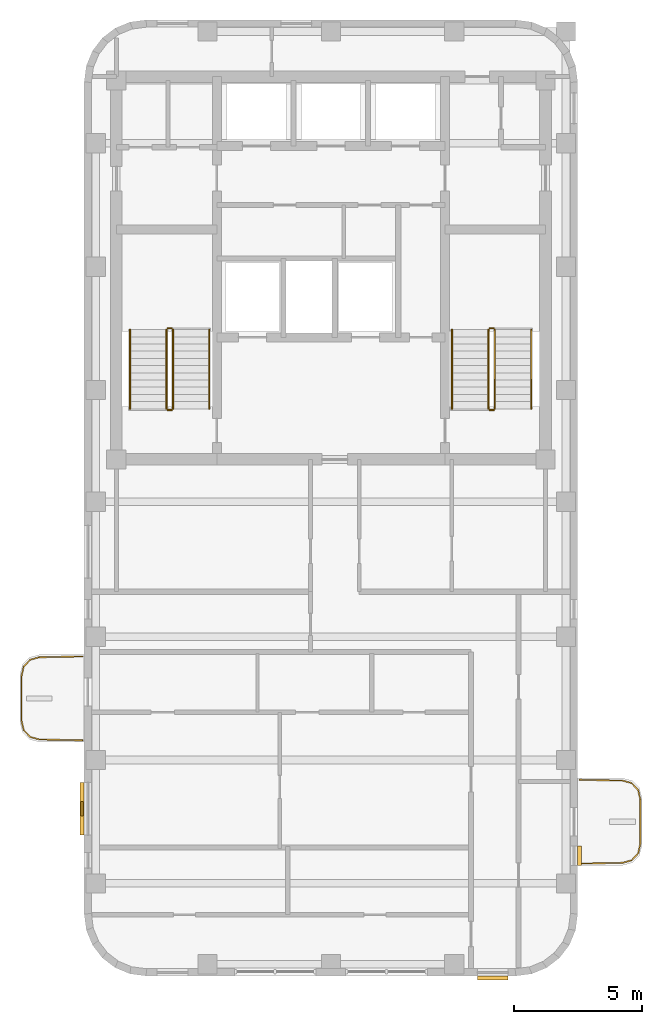
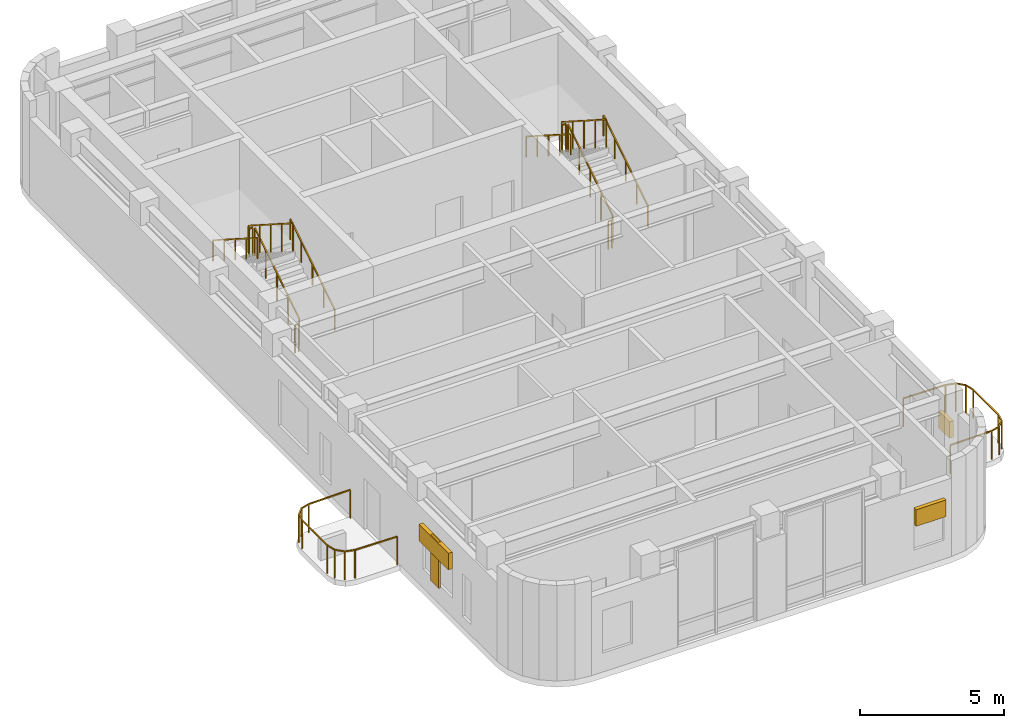
# One storey, part 6 of 6: 14 railings, 4 shading devices.
"""IFC4 building model written with IfcOpenShell, lengths in metres."""

from ifc_helpers import new_model, si_unit, direction, frame, origin, origin_2d, place, context, subcontext, project, spatial, rectangle, extrude, material, type_object, element, save


model = new_model("IFC4")

# Units and contexts
model_context = context("Model", 3, precision=1e-05, world=origin(), true_north=direction((0.0, 1.0)))
body_context = subcontext(model_context, "Body", "Model", "MODEL_VIEW")
ifc_project = project(units=[si_unit("LENGTHUNIT", "METRE"), si_unit("AREAUNIT", "SQUARE_METRE"), si_unit("VOLUMEUNIT", "CUBIC_METRE"), si_unit("PLANEANGLEUNIT", "RADIAN"), si_unit("MASSUNIT", "GRAM", prefix="KILO")], contexts=[model_context])

# Site, building, storey
site_placement = place(None, origin())
site = spatial("IfcSite", under=ifc_project, at=site_placement, CompositionType="ELEMENT")
building_placement = place(site_placement, origin())
building = spatial("IfcBuilding", under=site, at=building_placement, Name="Orvandelia Arch Residences", CompositionType="ELEMENT")
storey_placement = place(building_placement, frame((0.0, 0.0, 278.5)))
storey = spatial("IfcBuildingStorey", under=building, at=storey_placement, Name="L72", CompositionType="ELEMENT", Elevation=278.5)

# Railings
ifc_material_1 = material(Name="Marine-Grade Stainless Steel 316", Category="steel")
railing_type_1 = type_object("IfcRailingType", Name="GRD-BAL-1200", PredefinedType="BALUSTRADE", material=ifc_material_1)
railing_1_placement = place(storey_placement, frame((4.728271484375, 23.23046875, 0.0)))
element("IfcRailing", 1, at=railing_1_placement, inside=storey, type_object=railing_type_1, Name="Safety Balustrade Guard GRD-L72-BAL-L72-W1-1", PredefinedType="BALUSTRADE", context=body_context, shape_type="SweptSolid", body=[
    extrude(rectangle(XDim=0.048095703125, YDim=0.048095703125, at=origin_2d()), frame((0.0, 0.0, 1.19580078125), z_axis=(-0.999834751713, -0.018178813668, 0.0), x_axis=(0.018178813668, -0.999834751713, 0.0)), (0.0, 0.0, 1.0), 1.6787109375),
    extrude(rectangle(XDim=0.048095703125, YDim=0.048095703125, at=origin_2d()), frame((-1.678466796875, -0.030517578125, 1.19580078125), z_axis=(-0.96348920644, -0.267747173792, 0.0), x_axis=(0.267747173792, -0.96348920644, 0.0)), (0.0, 0.0, 1.0), 0.36572265625),
    extrude(rectangle(XDim=0.048095703125, YDim=0.048095703125, at=origin_2d()), frame((-2.03076171875, -0.12841796875, 1.19580078125), z_axis=(-0.688627404251, -0.725115368831, 0.0), x_axis=(0.725115368831, -0.688627404251, 0.0)), (0.0, 0.0, 1.0), 0.367919921875),
    extrude(rectangle(XDim=0.048095703125, YDim=0.048095703125, at=origin_2d()), frame((-2.2841796875, -0.395263671875, 1.19580078125), z_axis=(-0.220461657419, -0.975395641577, 0.0), x_axis=(0.975395641577, -0.220461657419, 0.0)), (0.0, 0.0, 1.0), 0.373291015625),
    extrude(rectangle(XDim=0.048095703125, YDim=0.048095703125, at=origin_2d()), frame((-2.366455078125, -0.75927734375, 1.19580078125), z_axis=(0.0, -1.0, 0.0), x_axis=(1.0, 0.0, 0.0)), (0.0, 0.0, 1.0), 1.742431640625),
    extrude(rectangle(XDim=0.048095703125, YDim=0.048095703125, at=origin_2d()), frame((-2.366455078125, -2.501708984375, 1.19580078125), z_axis=(0.220602419982, -0.975363815352, 0.0), x_axis=(0.975363815352, 0.220602419982, 0.0)), (0.0, 0.0, 1.0), 0.373046875),
    extrude(rectangle(XDim=0.048095703125, YDim=0.048095703125, at=origin_2d()), frame((-2.2841796875, -2.865478515625, 1.19580078125), z_axis=(0.688296224633, -0.725429739642, 0.0), x_axis=(0.725429739642, 0.688296224633, 0.0)), (0.0, 0.0, 1.0), 0.3681640625),
    extrude(rectangle(XDim=0.048095703125, YDim=0.048095703125, at=origin_2d()), frame((-2.03076171875, -3.132568359375, 1.19580078125), z_axis=(0.96348920644, -0.267747173792, 0.0), x_axis=(0.267747173792, 0.96348920644, 0.0)), (0.0, 0.0, 1.0), 0.36572265625),
    extrude(rectangle(XDim=0.048095703125, YDim=0.048095703125, at=origin_2d()), frame((-1.678466796875, -3.23046875, 1.19580078125), z_axis=(0.999834751713, -0.018178813668, 0.0), x_axis=(0.018178813668, 0.999834751713, 0.0)), (0.0, 0.0, 1.0), 1.6787109375),
    extrude(rectangle(XDim=0.0419921875, YDim=0.0419921875, at=origin_2d()), origin(), (0.0, 0.0, 1.0), 1.171875),
    extrude(rectangle(XDim=0.0419921875, YDim=0.0419921875, at=origin_2d()), frame((-1.678466796875, -0.030517578125, 0.0)), (0.0, 0.0, 1.0), 1.171875),
    extrude(rectangle(XDim=0.0419921875, YDim=0.0419921875, at=origin_2d()), frame((-2.03076171875, -0.12841796875, 0.0)), (0.0, 0.0, 1.0), 1.171875),
    extrude(rectangle(XDim=0.0419921875, YDim=0.0419921875, at=origin_2d()), frame((-2.2841796875, -0.395263671875, 0.0)), (0.0, 0.0, 1.0), 1.171875),
    extrude(rectangle(XDim=0.0419921875, YDim=0.0419921875, at=origin_2d()), frame((-2.366455078125, -0.75927734375, 0.0)), (0.0, 0.0, 1.0), 1.171875),
    extrude(rectangle(XDim=0.0419921875, YDim=0.0419921875, at=origin_2d()), frame((-2.366455078125, -2.501708984375, 0.0)), (0.0, 0.0, 1.0), 1.171875),
    extrude(rectangle(XDim=0.0419921875, YDim=0.0419921875, at=origin_2d()), frame((-2.2841796875, -2.865478515625, 0.0)), (0.0, 0.0, 1.0), 1.171875),
    extrude(rectangle(XDim=0.0419921875, YDim=0.0419921875, at=origin_2d()), frame((-2.03076171875, -3.132568359375, 0.0)), (0.0, 0.0, 1.0), 1.171875),
    extrude(rectangle(XDim=0.0419921875, YDim=0.0419921875, at=origin_2d()), frame((-1.678466796875, -3.23046875, 0.0)), (0.0, 0.0, 1.0), 1.171875),
    extrude(rectangle(XDim=0.0419921875, YDim=0.0419921875, at=origin_2d()), frame((0.0, -3.260986328125, 0.0)), (0.0, 0.0, 1.0), 1.171875),
])
railing_2_placement = place(storey_placement, frame((24.07177734375, 15.169677734375, 0.0)))
element("IfcRailing", 2, at=railing_2_placement, inside=storey, type_object=railing_type_1, Name="Safety Balustrade Guard GRD-L72-BAL-L72-W2-1", PredefinedType="BALUSTRADE", context=body_context, shape_type="SweptSolid", body=[
    extrude(rectangle(XDim=0.048095703125, YDim=0.048095703125, at=origin_2d()), frame((0.0, 0.0, 1.19580078125), z_axis=(0.999837384468, 0.018033430643, 0.0), x_axis=(-0.018033430643, 0.999837384468, 0.0)), (0.0, 0.0, 1.0), 1.6787109375),
    extrude(rectangle(XDim=0.048095703125, YDim=0.048095703125, at=origin_2d()), frame((1.678466796875, 0.0302734375, 1.19580078125), z_axis=(0.96348920644, 0.267747173792, 0.0), x_axis=(-0.267747173792, 0.96348920644, 0.0)), (0.0, 0.0, 1.0), 0.36572265625),
    extrude(rectangle(XDim=0.048095703125, YDim=0.048095703125, at=origin_2d()), frame((2.03076171875, 0.128173828125, 1.19580078125), z_axis=(0.687947031175, 0.725760898848, 0.0), x_axis=(-0.725760898848, 0.687947031175, 0.0)), (0.0, 0.0, 1.0), 0.367919921875),
    extrude(rectangle(XDim=0.048095703125, YDim=0.048095703125, at=origin_2d()), frame((2.283935546875, 0.395263671875, 1.19580078125), z_axis=(0.221225034864, 0.975222786828, 0.0), x_axis=(-0.975222786828, 0.221225034864, 0.0)), (0.0, 0.0, 1.0), 0.373046875),
    extrude(rectangle(XDim=0.048095703125, YDim=0.048095703125, at=origin_2d()), frame((2.366455078125, 0.759033203125, 1.19580078125), z_axis=(0.0, 1.0, 0.0), x_axis=(-1.0, 0.0, 0.0)), (0.0, 0.0, 1.0), 1.74267578125),
    extrude(rectangle(XDim=0.048095703125, YDim=0.048095703125, at=origin_2d()), frame((2.366455078125, 2.501708984375, 1.19580078125), z_axis=(-0.221225034864, 0.975222786828, 0.0), x_axis=(-0.975222786828, -0.221225034864, 0.0)), (0.0, 0.0, 1.0), 0.373046875),
    extrude(rectangle(XDim=0.048095703125, YDim=0.048095703125, at=origin_2d()), frame((2.283935546875, 2.865478515625, 1.19580078125), z_axis=(-0.688278345278, 0.725446703364, 0.0), x_axis=(-0.725446703364, -0.688278345278, 0.0)), (0.0, 0.0, 1.0), 0.367919921875),
    extrude(rectangle(XDim=0.048095703125, YDim=0.048095703125, at=origin_2d()), frame((2.03076171875, 3.13232421875, 1.19580078125), z_axis=(-0.96348920644, 0.267747173792, 0.0), x_axis=(-0.267747173792, -0.96348920644, 0.0)), (0.0, 0.0, 1.0), 0.36572265625),
    extrude(rectangle(XDim=0.048095703125, YDim=0.048095703125, at=origin_2d()), frame((1.678466796875, 3.230224609375, 1.19580078125), z_axis=(-0.999834751713, 0.018178813668, 0.0), x_axis=(-0.018178813668, -0.999834751713, 0.0)), (0.0, 0.0, 1.0), 1.6787109375),
    extrude(rectangle(XDim=0.0419921875, YDim=0.0419921875, at=origin_2d()), origin(), (0.0, 0.0, 1.0), 1.171875),
    extrude(rectangle(XDim=0.0419921875, YDim=0.0419921875, at=origin_2d()), frame((1.678466796875, 0.0302734375, 0.0)), (0.0, 0.0, 1.0), 1.171875),
    extrude(rectangle(XDim=0.0419921875, YDim=0.0419921875, at=origin_2d()), frame((2.03076171875, 0.128173828125, 0.0)), (0.0, 0.0, 1.0), 1.171875),
    extrude(rectangle(XDim=0.0419921875, YDim=0.0419921875, at=origin_2d()), frame((2.283935546875, 0.395263671875, 0.0)), (0.0, 0.0, 1.0), 1.171875),
    extrude(rectangle(XDim=0.0419921875, YDim=0.0419921875, at=origin_2d()), frame((2.366455078125, 0.759033203125, 0.0)), (0.0, 0.0, 1.0), 1.171875),
    extrude(rectangle(XDim=0.0419921875, YDim=0.0419921875, at=origin_2d()), frame((2.366455078125, 2.501708984375, 0.0)), (0.0, 0.0, 1.0), 1.171875),
    extrude(rectangle(XDim=0.0419921875, YDim=0.0419921875, at=origin_2d()), frame((2.283935546875, 2.865478515625, 0.0)), (0.0, 0.0, 1.0), 1.171875),
    extrude(rectangle(XDim=0.0419921875, YDim=0.0419921875, at=origin_2d()), frame((2.03076171875, 3.13232421875, 0.0)), (0.0, 0.0, 1.0), 1.171875),
    extrude(rectangle(XDim=0.0419921875, YDim=0.0419921875, at=origin_2d()), frame((1.678466796875, 3.230224609375, 0.0)), (0.0, 0.0, 1.0), 1.171875),
    extrude(rectangle(XDim=0.0419921875, YDim=0.0419921875, at=origin_2d()), frame((0.0, 3.2607421875, 0.0)), (0.0, 0.0, 1.0), 1.171875),
])
ifc_material_2 = material(Name="Brushed Stainless Steel 304", Category="steel")
railing_type_2 = type_object("IfcRailingType", Name="RL-STAIR-GD1120", PredefinedType="GUARDRAIL", material=ifc_material_2)
railing_3_placement = place(storey_placement, frame((8.25, 32.8701171875, 0.17919921875)))
element("IfcRailing", 3, at=railing_3_placement, inside=storey, type_object=railing_type_2, Name="L72 ST-1 stair guard 1", PredefinedType="GUARDRAIL", context=body_context, shape_type="SweptSolid", body=[
    extrude(rectangle(XDim=0.048095703125, YDim=0.048095703125, at=origin_2d()), frame((0.0, 0.0, 1.17578125), z_axis=(0.0, 0.842319903074, 0.538977903893), x_axis=(-1.0, 0.0, 0.0)), (0.0, 0.0, 1.0), 3.65625),
    extrude(rectangle(XDim=0.0419921875, YDim=0.0419921875, at=origin_2d()), origin(), (0.0, 0.0, 1.0), 1.15185546875),
    extrude(rectangle(XDim=0.0419921875, YDim=0.0419921875, at=origin_2d()), frame((0.0, 0.77001953125, 0.49267578125)), (0.0, 0.0, 1.0), 1.15185546875),
    extrude(rectangle(XDim=0.0419921875, YDim=0.0419921875, at=origin_2d()), frame((0.0, 1.5400390625, 0.9853515625)), (0.0, 0.0, 1.0), 1.15185546875),
    extrude(rectangle(XDim=0.0419921875, YDim=0.0419921875, at=origin_2d()), frame((0.0, 2.309814453125, 1.47802734375)), (0.0, 0.0, 1.0), 1.15185546875),
    extrude(rectangle(XDim=0.0419921875, YDim=0.0419921875, at=origin_2d()), frame((0.0, 3.079833984375, 1.970703125)), (0.0, 0.0, 1.0), 1.15185546875),
])
railing_4_placement = place(storey_placement, frame((8.199951171875, 36.0, 2.14990234375)))
element("IfcRailing", 4, at=railing_4_placement, inside=storey, type_object=railing_type_2, Name="L72 ST-1 stair guard 2", PredefinedType="GUARDRAIL", context=body_context, shape_type="SweptSolid", body=[
    extrude(rectangle(XDim=0.048095703125, YDim=0.048095703125, at=origin_2d()), frame((0.0, 0.0, 1.17578125), z_axis=(-1.0, 0.0, 0.0), x_axis=(0.0, -1.0, 0.0)), (0.0, 0.0, 1.0), 0.14990234375),
    extrude(rectangle(XDim=0.0419921875, YDim=0.0419921875, at=origin_2d()), origin(), (0.0, 0.0, 1.0), 1.15185546875),
    extrude(rectangle(XDim=0.0419921875, YDim=0.0419921875, at=origin_2d()), frame((-0.14990234375, 0.0, 0.0)), (0.0, 0.0, 1.0), 1.15185546875),
])
railing_5_placement = place(storey_placement, frame((8.0, 35.949951171875, 2.3291015625)))
element("IfcRailing", 5, at=railing_5_placement, inside=storey, type_object=railing_type_2, Name="L72 ST-1 stair guard 3", PredefinedType="GUARDRAIL", context=body_context, shape_type="SweptSolid", body=[
    extrude(rectangle(XDim=0.048095703125, YDim=0.048095703125, at=origin_2d()), frame((0.0, 0.0, 1.17578125), z_axis=(0.0, -0.842289589211, 0.539025275759), x_axis=(1.0, 0.0, 0.0)), (0.0, 0.0, 1.0), 3.656494140625),
    extrude(rectangle(XDim=0.0419921875, YDim=0.0419921875, at=origin_2d()), origin(), (0.0, 0.0, 1.0), 1.15185546875),
    extrude(rectangle(XDim=0.0419921875, YDim=0.0419921875, at=origin_2d()), frame((0.0, -0.77001953125, 0.49267578125)), (0.0, 0.0, 1.0), 1.15185546875),
    extrude(rectangle(XDim=0.0419921875, YDim=0.0419921875, at=origin_2d()), frame((0.0, -1.5400390625, 0.9853515625)), (0.0, 0.0, 1.0), 1.15185546875),
    extrude(rectangle(XDim=0.0419921875, YDim=0.0419921875, at=origin_2d()), frame((0.0, -2.309814453125, 1.478271484375)), (0.0, 0.0, 1.0), 1.15185546875),
    extrude(rectangle(XDim=0.0419921875, YDim=0.0419921875, at=origin_2d()), frame((0.0, -3.079833984375, 1.970947265625)), (0.0, 0.0, 1.0), 1.15185546875),
])
railing_6_placement = place(storey_placement, frame((8.199951171875, 32.820068359375, 0.0)))
element("IfcRailing", 6, at=railing_6_placement, inside=storey, type_object=railing_type_2, Name="L72 ST-1 stair guard 4", PredefinedType="GUARDRAIL", context=body_context, shape_type="SweptSolid", body=[
    extrude(rectangle(XDim=0.048095703125, YDim=0.048095703125, at=origin_2d()), frame((0.0, 0.0, 1.17578125), z_axis=(-1.0, 0.0, 0.0), x_axis=(0.0, -1.0, 0.0)), (0.0, 0.0, 1.0), 0.14990234375),
    extrude(rectangle(XDim=0.0419921875, YDim=0.0419921875, at=origin_2d()), origin(), (0.0, 0.0, 1.0), 1.15185546875),
    extrude(rectangle(XDim=0.0419921875, YDim=0.0419921875, at=origin_2d()), frame((-0.14990234375, 0.0, 0.0)), (0.0, 0.0, 1.0), 1.15185546875),
])
railing_7_placement = place(storey_placement, frame((20.780029296875, 32.8701171875, 0.17919921875)))
element("IfcRailing", 7, at=railing_7_placement, inside=storey, type_object=railing_type_2, Name="L72 ST-2 stair guard 1", PredefinedType="GUARDRAIL", context=body_context, shape_type="SweptSolid", body=[
    extrude(rectangle(XDim=0.048095703125, YDim=0.048095703125, at=origin_2d()), frame((0.0, 0.0, 1.17578125), z_axis=(0.0, 0.842319903074, 0.538977903893), x_axis=(-1.0, 0.0, 0.0)), (0.0, 0.0, 1.0), 3.65625),
    extrude(rectangle(XDim=0.0419921875, YDim=0.0419921875, at=origin_2d()), origin(), (0.0, 0.0, 1.0), 1.15185546875),
    extrude(rectangle(XDim=0.0419921875, YDim=0.0419921875, at=origin_2d()), frame((0.0, 0.77001953125, 0.49267578125)), (0.0, 0.0, 1.0), 1.15185546875),
    extrude(rectangle(XDim=0.0419921875, YDim=0.0419921875, at=origin_2d()), frame((0.0, 1.5400390625, 0.9853515625)), (0.0, 0.0, 1.0), 1.15185546875),
    extrude(rectangle(XDim=0.0419921875, YDim=0.0419921875, at=origin_2d()), frame((0.0, 2.309814453125, 1.47802734375)), (0.0, 0.0, 1.0), 1.15185546875),
    extrude(rectangle(XDim=0.0419921875, YDim=0.0419921875, at=origin_2d()), frame((0.0, 3.079833984375, 1.970703125)), (0.0, 0.0, 1.0), 1.15185546875),
])
railing_8_placement = place(storey_placement, frame((20.72998046875, 36.0, 2.14990234375)))
element("IfcRailing", 8, at=railing_8_placement, inside=storey, type_object=railing_type_2, Name="L72 ST-2 stair guard 2", PredefinedType="GUARDRAIL", context=body_context, shape_type="SweptSolid", body=[
    extrude(rectangle(XDim=0.048095703125, YDim=0.048095703125, at=origin_2d()), frame((0.0, 0.0, 1.17578125), z_axis=(-1.0, 0.0, 0.0), x_axis=(0.0, -1.0, 0.0)), (0.0, 0.0, 1.0), 0.14990234375),
    extrude(rectangle(XDim=0.0419921875, YDim=0.0419921875, at=origin_2d()), origin(), (0.0, 0.0, 1.0), 1.15185546875),
    extrude(rectangle(XDim=0.0419921875, YDim=0.0419921875, at=origin_2d()), frame((-0.14990234375, 0.0, 0.0)), (0.0, 0.0, 1.0), 1.15185546875),
])
railing_9_placement = place(storey_placement, frame((20.530029296875, 35.949951171875, 2.3291015625)))
element("IfcRailing", 9, at=railing_9_placement, inside=storey, type_object=railing_type_2, Name="L72 ST-2 stair guard 3", PredefinedType="GUARDRAIL", context=body_context, shape_type="SweptSolid", body=[
    extrude(rectangle(XDim=0.048095703125, YDim=0.048095703125, at=origin_2d()), frame((0.0, 0.0, 1.17578125), z_axis=(0.0, -0.842289589211, 0.539025275759), x_axis=(1.0, 0.0, 0.0)), (0.0, 0.0, 1.0), 3.656494140625),
    extrude(rectangle(XDim=0.0419921875, YDim=0.0419921875, at=origin_2d()), origin(), (0.0, 0.0, 1.0), 1.15185546875),
    extrude(rectangle(XDim=0.0419921875, YDim=0.0419921875, at=origin_2d()), frame((0.0, -0.77001953125, 0.49267578125)), (0.0, 0.0, 1.0), 1.15185546875),
    extrude(rectangle(XDim=0.0419921875, YDim=0.0419921875, at=origin_2d()), frame((0.0, -1.5400390625, 0.9853515625)), (0.0, 0.0, 1.0), 1.15185546875),
    extrude(rectangle(XDim=0.0419921875, YDim=0.0419921875, at=origin_2d()), frame((0.0, -2.309814453125, 1.478271484375)), (0.0, 0.0, 1.0), 1.15185546875),
    extrude(rectangle(XDim=0.0419921875, YDim=0.0419921875, at=origin_2d()), frame((0.0, -3.079833984375, 1.970947265625)), (0.0, 0.0, 1.0), 1.15185546875),
])
railing_10_placement = place(storey_placement, frame((20.72998046875, 32.820068359375, 0.0)))
element("IfcRailing", 10, at=railing_10_placement, inside=storey, type_object=railing_type_2, Name="L72 ST-2 stair guard 4", PredefinedType="GUARDRAIL", context=body_context, shape_type="SweptSolid", body=[
    extrude(rectangle(XDim=0.048095703125, YDim=0.048095703125, at=origin_2d()), frame((0.0, 0.0, 1.17578125), z_axis=(-1.0, 0.0, 0.0), x_axis=(0.0, -1.0, 0.0)), (0.0, 0.0, 1.0), 0.14990234375),
    extrude(rectangle(XDim=0.0419921875, YDim=0.0419921875, at=origin_2d()), origin(), (0.0, 0.0, 1.0), 1.15185546875),
    extrude(rectangle(XDim=0.0419921875, YDim=0.0419921875, at=origin_2d()), frame((-0.14990234375, 0.0, 0.0)), (0.0, 0.0, 1.0), 1.15185546875),
])
railing_type_3 = type_object("IfcRailingType", Name="RL-STAIR-HR920", PredefinedType="HANDRAIL", material=ifc_material_2)
railing_11_placement = place(storey_placement, frame((9.669921875, 32.8701171875, 0.3583984375)))
element("IfcRailing", 11, at=railing_11_placement, inside=storey, type_object=railing_type_3, Name="L72 ST-1 stair handrail 1", PredefinedType="HANDRAIL", context=body_context, shape_type="SweptSolid", body=[
    extrude(rectangle(XDim=0.048095703125, YDim=0.048095703125, at=origin_2d()), frame((0.0, 0.0, 0.8759765625), z_axis=(0.0, 0.842319903074, 0.538977903893), x_axis=(-1.0, 0.0, 0.0)), (0.0, 0.0, 1.0), 3.65625),
    extrude(rectangle(XDim=0.0419921875, YDim=0.0419921875, at=origin_2d()), origin(), (0.0, 0.0, 1.0), 0.851806640625),
    extrude(rectangle(XDim=0.0419921875, YDim=0.0419921875, at=origin_2d()), frame((0.0, 0.77001953125, 0.49267578125)), (0.0, 0.0, 1.0), 0.851806640625),
    extrude(rectangle(XDim=0.0419921875, YDim=0.0419921875, at=origin_2d()), frame((0.0, 1.5400390625, 0.9853515625)), (0.0, 0.0, 1.0), 0.851806640625),
    extrude(rectangle(XDim=0.0419921875, YDim=0.0419921875, at=origin_2d()), frame((0.0, 2.309814453125, 1.47802734375)), (0.0, 0.0, 1.0), 0.851806640625),
    extrude(rectangle(XDim=0.0419921875, YDim=0.0419921875, at=origin_2d()), frame((0.0, 3.079833984375, 1.970703125)), (0.0, 0.0, 1.0), 0.851806640625),
])
railing_12_placement = place(storey_placement, frame((6.580078125, 35.949951171875, 2.50830078125)))
element("IfcRailing", 12, at=railing_12_placement, inside=storey, type_object=railing_type_3, Name="L72 ST-1 stair handrail 2", PredefinedType="HANDRAIL", context=body_context, shape_type="SweptSolid", body=[
    extrude(rectangle(XDim=0.048095703125, YDim=0.048095703125, at=origin_2d()), frame((0.0, 0.0, 0.8759765625), z_axis=(0.0, -0.842289589211, 0.539025275759), x_axis=(1.0, 0.0, 0.0)), (0.0, 0.0, 1.0), 3.656494140625),
    extrude(rectangle(XDim=0.0419921875, YDim=0.0419921875, at=origin_2d()), origin(), (0.0, 0.0, 1.0), 0.851806640625),
    extrude(rectangle(XDim=0.0419921875, YDim=0.0419921875, at=origin_2d()), frame((0.0, -0.77001953125, 0.49267578125)), (0.0, 0.0, 1.0), 0.851806640625),
    extrude(rectangle(XDim=0.0419921875, YDim=0.0419921875, at=origin_2d()), frame((0.0, -1.5400390625, 0.9853515625)), (0.0, 0.0, 1.0), 0.851806640625),
    extrude(rectangle(XDim=0.0419921875, YDim=0.0419921875, at=origin_2d()), frame((0.0, -2.309814453125, 1.478271484375)), (0.0, 0.0, 1.0), 0.851806640625),
    extrude(rectangle(XDim=0.0419921875, YDim=0.0419921875, at=origin_2d()), frame((0.0, -3.079833984375, 1.970947265625)), (0.0, 0.0, 1.0), 0.851806640625),
])
railing_13_placement = place(storey_placement, frame((22.199951171875, 32.8701171875, 0.3583984375)))
element("IfcRailing", 13, at=railing_13_placement, inside=storey, type_object=railing_type_3, Name="L72 ST-2 stair handrail 1", PredefinedType="HANDRAIL", context=body_context, shape_type="SweptSolid", body=[
    extrude(rectangle(XDim=0.048095703125, YDim=0.048095703125, at=origin_2d()), frame((0.0, 0.0, 0.8759765625), z_axis=(0.0, 0.842319903074, 0.538977903893), x_axis=(-1.0, 0.0, 0.0)), (0.0, 0.0, 1.0), 3.65625),
    extrude(rectangle(XDim=0.0419921875, YDim=0.0419921875, at=origin_2d()), origin(), (0.0, 0.0, 1.0), 0.851806640625),
    extrude(rectangle(XDim=0.0419921875, YDim=0.0419921875, at=origin_2d()), frame((0.0, 0.77001953125, 0.49267578125)), (0.0, 0.0, 1.0), 0.851806640625),
    extrude(rectangle(XDim=0.0419921875, YDim=0.0419921875, at=origin_2d()), frame((0.0, 1.5400390625, 0.9853515625)), (0.0, 0.0, 1.0), 0.851806640625),
    extrude(rectangle(XDim=0.0419921875, YDim=0.0419921875, at=origin_2d()), frame((0.0, 2.309814453125, 1.47802734375)), (0.0, 0.0, 1.0), 0.851806640625),
    extrude(rectangle(XDim=0.0419921875, YDim=0.0419921875, at=origin_2d()), frame((0.0, 3.079833984375, 1.970703125)), (0.0, 0.0, 1.0), 0.851806640625),
])
railing_14_placement = place(storey_placement, frame((19.110107421875, 35.949951171875, 2.50830078125)))
element("IfcRailing", 14, at=railing_14_placement, inside=storey, type_object=railing_type_3, Name="L72 ST-2 stair handrail 2", PredefinedType="HANDRAIL", context=body_context, shape_type="SweptSolid", body=[
    extrude(rectangle(XDim=0.048095703125, YDim=0.048095703125, at=origin_2d()), frame((0.0, 0.0, 0.8759765625), z_axis=(0.0, -0.842289589211, 0.539025275759), x_axis=(1.0, 0.0, 0.0)), (0.0, 0.0, 1.0), 3.656494140625),
    extrude(rectangle(XDim=0.0419921875, YDim=0.0419921875, at=origin_2d()), origin(), (0.0, 0.0, 1.0), 0.851806640625),
    extrude(rectangle(XDim=0.0419921875, YDim=0.0419921875, at=origin_2d()), frame((0.0, -0.77001953125, 0.49267578125)), (0.0, 0.0, 1.0), 0.851806640625),
    extrude(rectangle(XDim=0.0419921875, YDim=0.0419921875, at=origin_2d()), frame((0.0, -1.5400390625, 0.9853515625)), (0.0, 0.0, 1.0), 0.851806640625),
    extrude(rectangle(XDim=0.0419921875, YDim=0.0419921875, at=origin_2d()), frame((0.0, -2.309814453125, 1.478271484375)), (0.0, 0.0, 1.0), 0.851806640625),
    extrude(rectangle(XDim=0.0419921875, YDim=0.0419921875, at=origin_2d()), frame((0.0, -3.079833984375, 1.970947265625)), (0.0, 0.0, 1.0), 0.851806640625),
])

# Shading devices
ifc_material_3 = material(Name="Anodised Champagne-Bronze Extruded Aluminium", Category="aluminium")
shading_device_type_1 = type_object("IfcShadingDeviceType", Name="SHD-JALOUSIE-SCREEN", PredefinedType="JALOUSIE", material=ifc_material_3)
shading_device_1_placement = place(storey_placement, frame((24.080078125, 15.472412109375, 1.5498046875), z_axis=(0.0, 0.0, 1.0), x_axis=(0.0, -1.0, 0.0)))
element("IfcShadingDevice", 15, at=shading_device_1_placement, inside=storey, type_object=shading_device_type_1, Name="Bronze Jalousie Sun-Shade L72-001", PredefinedType="JALOUSIE", context=body_context, shape_type="SweptSolid", body=[
    extrude(rectangle(XDim=0.75, YDim=0.159912109375, at=origin_2d()), origin(), (0.0, 0.0, 1.0), 0.699951171875),
])
shading_device_2_placement = place(storey_placement, frame((20.695068359375, 10.719970703125, 1.89990234375), z_axis=(0.0, 0.0, 1.0), x_axis=(-1.0, 0.0, 0.0)))
element("IfcShadingDevice", 16, at=shading_device_2_placement, inside=storey, type_object=shading_device_type_1, Name="Bronze Jalousie Sun-Shade L72-002", PredefinedType="JALOUSIE", context=body_context, shape_type="SweptSolid", body=[
    extrude(rectangle(XDim=1.199951171875, YDim=0.159912109375, at=origin_2d()), origin(), (0.0, 0.0, 1.0), 0.699951171875),
])
shading_device_3_placement = place(storey_placement, frame((4.719970703125, 17.302490234375, 2.0498046875), z_axis=(0.0, 0.0, 1.0), x_axis=(0.0, 1.0, 0.0)))
element("IfcShadingDevice", 17, at=shading_device_3_placement, inside=storey, type_object=shading_device_type_1, Name="Bronze Jalousie Sun-Shade L72-003", PredefinedType="JALOUSIE", context=body_context, shape_type="SweptSolid", body=[
    extrude(rectangle(XDim=2.050048828125, YDim=0.159912109375, at=origin_2d()), origin(), (0.0, 0.0, 1.0), 0.699951171875),
])
ifc_material_4 = material(Name="Marine-Grade Perforated Aluminium Storm Shutter", Category="aluminium")
shading_device_type_2 = type_object("IfcShadingDeviceType", Name="SHD-STORM-SHUTTER", PredefinedType="SHUTTER", material=ifc_material_4)
shading_device_4_placement = place(storey_placement, frame((4.719970703125, 17.302490234375, 0.7998046875), z_axis=(0.0, 0.0, 1.0), x_axis=(0.0, 1.0, 0.0)))
element("IfcShadingDevice", 18, at=shading_device_4_placement, inside=storey, type_object=shading_device_type_2, Name="Operable Typhoon Storm Shutter L72-003", PredefinedType="SHUTTER", context=body_context, shape_type="SweptSolid", body=[
    extrude(rectangle(XDim=0.550048828125, YDim=0.080078125, at=origin_2d()), origin(), (0.0, 0.0, 1.0), 1.949951171875),
])

save(model, "model.ifc")
